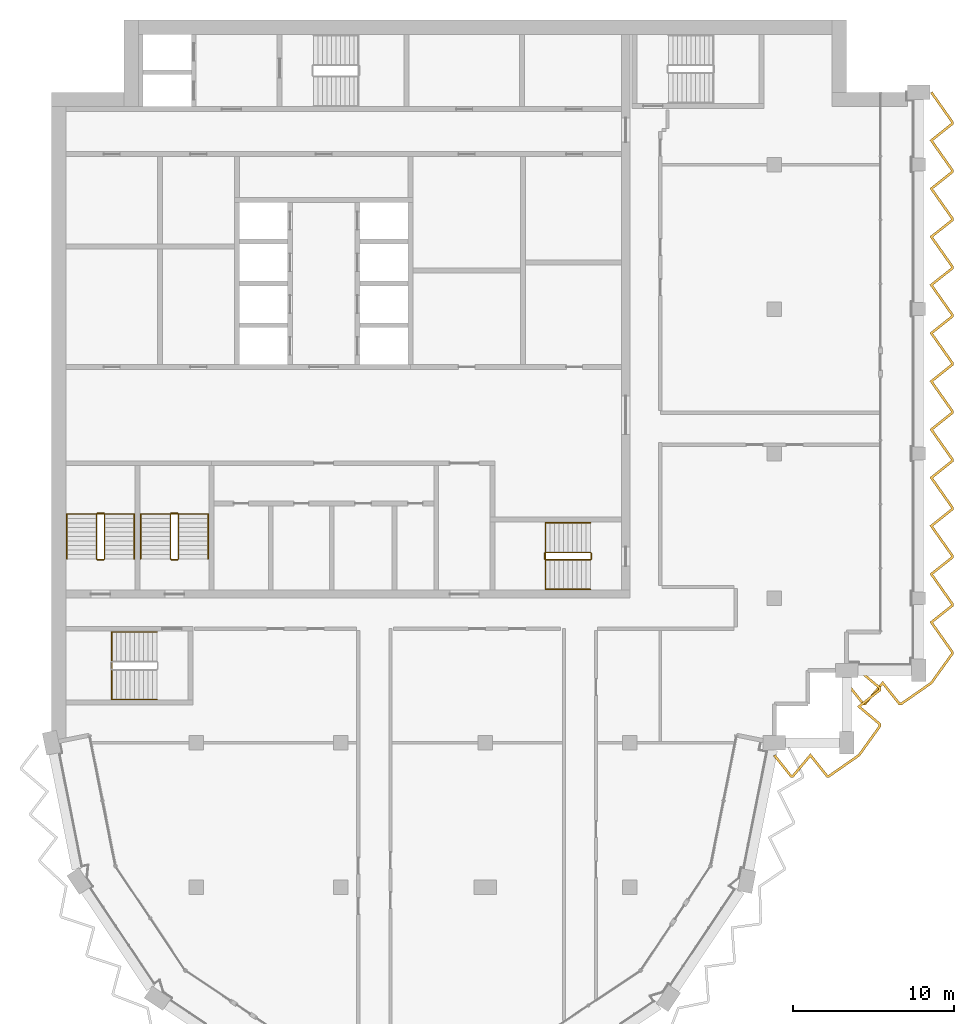
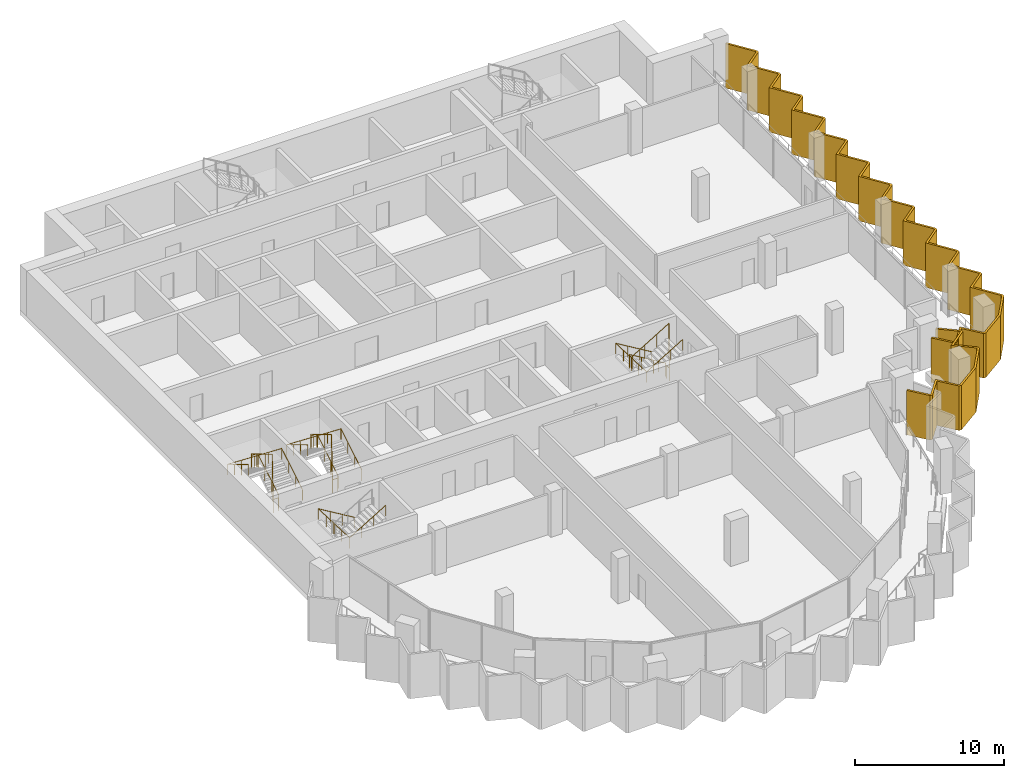
# One storey, part 13 of 14: 7 railings, 2 shading devices.
"""IFC4 building model written with IfcOpenShell, lengths in metres."""

from ifc_helpers import new_model, si_unit, direction, frame, origin, origin_2d, place, context, subcontext, project, spatial, polyline, circle, outline, extrude, material, layer, layer_set, type_object, element, save


model = new_model("IFC4")

# Units and contexts
model_context = context("Model", 3, precision=1e-05, world=origin(), true_north=direction((0.0, 1.0)))
body_context = subcontext(model_context, "Body", "Model", "MODEL_VIEW")
ifc_project = project(units=[si_unit("LENGTHUNIT", "METRE"), si_unit("AREAUNIT", "SQUARE_METRE"), si_unit("VOLUMEUNIT", "CUBIC_METRE"), si_unit("PLANEANGLEUNIT", "RADIAN"), si_unit("MASSUNIT", "GRAM", prefix="KILO")], contexts=[model_context])

# Site, building, storey
site_placement = place(None, origin())
site = spatial("IfcSite", under=ifc_project, at=site_placement, CompositionType="ELEMENT")
building_placement = place(site_placement, origin())
building = spatial("IfcBuilding", under=site, at=building_placement, Name="Hunhe Ridgeline Campus", CompositionType="ELEMENT")
storey_placement = place(building_placement, frame((0.0, 0.0, 295.60009765625)))
storey = spatial("IfcBuildingStorey", under=building, at=storey_placement, Name="L76", CompositionType="ELEMENT", Elevation=295.60009765625)

# Shading devices
ifc_material_1 = material(Name="Concrete C50", Category="concrete")
ifc_layer = layer(ifc_material_1, 0.14990234375)
ifc_layer_set = layer_set([ifc_layer], Name="Sawtooth concrete fin 150 Concrete C50")
shading_device_type = type_object("IfcShadingDeviceType", Name="Sawtooth concrete fin 150 Concrete C50", PredefinedType="USERDEFINED", material=ifc_layer_set)
shading_device_1_placement = place(storey_placement, frame((0.0, 0.0, -0.9501953125)))
element("IfcShadingDevice", 1, at=shading_device_1_placement, inside=storey, type_object=shading_device_type, Name="Concrete fin screen 2", ObjectType="FIN", PredefinedType="USERDEFINED", context=body_context, shape_type="SweptSolid", body=[
    extrude(outline(polyline([(45.05859375, 53.271728515625), (44.94140625, 53.17822265625), (46.000732421875, 51.85009765625), (46.19189453125, 51.85009765625), (47.24853515625, 53.106689453125), (48.250732421875, 51.85009765625), (48.430419921875, 51.85009765625), (50.328369140625, 53.1708984375), (51.64990234375, 55.0126953125), (51.64990234375, 55.19189453125), (50.393310546875, 56.24853515625), (51.64990234375, 57.250732421875), (51.64990234375, 57.44189453125), (50.3232421875, 58.557373046875), (50.226806640625, 58.442626953125), (51.5, 57.371826171875), (51.5, 57.322998046875), (50.15673828125, 56.25146484375), (51.5, 55.121826171875), (51.5, 55.06103515625), (50.2216796875, 53.279296875), (48.38330078125, 52.0), (48.322998046875, 52.0), (47.25146484375, 53.34326171875), (46.121826171875, 52.0), (46.072998046875, 52.0), (45.05859375, 53.271728515625)])), origin(), (0.0, 0.0, 1.0), 3.650146484375),
])
shading_device_2_placement = place(storey_placement, frame((0.0, 0.0, -0.9501953125)))
element("IfcShadingDevice", 2, at=shading_device_2_placement, inside=storey, type_object=shading_device_type, Name="Concrete fin screen 3", ObjectType="FIN", PredefinedType="USERDEFINED", context=body_context, shape_type="SweptSolid", body=[
    extrude(outline(polyline([(49.55859375, 57.771728515625), (49.44140625, 57.67822265625), (50.500732421875, 56.35009765625), (50.69189453125, 56.35009765625), (51.74853515625, 57.606689453125), (52.750732421875, 56.35009765625), (52.930419921875, 56.35009765625), (54.828369140625, 57.6708984375), (56.14990234375, 59.5126953125), (56.14990234375, 59.6806640625), (54.876953125, 61.4853515625), (56.14990234375, 62.500732421875), (56.14990234375, 62.6806640625), (54.876953125, 64.4853515625), (56.14990234375, 65.500732421875), (56.14990234375, 65.6806640625), (54.876953125, 67.4853515625), (56.14990234375, 68.500732421875), (56.14990234375, 68.6806640625), (54.876953125, 70.4853515625), (56.14990234375, 71.500732421875), (56.14990234375, 71.6806640625), (54.876953125, 73.4853515625), (56.14990234375, 74.500732421875), (56.14990234375, 74.6806640625), (54.876953125, 76.4853515625), (56.14990234375, 77.500732421875), (56.14990234375, 77.6806640625), (54.876953125, 79.4853515625), (56.14990234375, 80.500732421875), (56.14990234375, 80.6806640625), (54.876953125, 82.4853515625), (56.14990234375, 83.500732421875), (56.14990234375, 83.6806640625), (54.876953125, 85.4853515625), (56.14990234375, 86.500732421875), (56.14990234375, 86.6806640625), (54.876953125, 88.4853515625), (56.14990234375, 89.500732421875), (56.14990234375, 89.6806640625), (54.876953125, 91.4853515625), (56.14990234375, 92.500732421875), (56.14990234375, 92.6806640625), (54.836181640625, 94.543212890625), (54.713623046875, 94.456787109375), (56.0, 92.633056640625), (56.0, 92.572998046875), (54.6728515625, 91.5146484375), (56.0, 89.633056640625), (56.0, 89.572998046875), (54.6728515625, 88.5146484375), (56.0, 86.633056640625), (56.0, 86.572998046875), (54.6728515625, 85.5146484375), (56.0, 83.633056640625), (56.0, 83.572998046875), (54.6728515625, 82.5146484375), (56.0, 80.633056640625), (56.0, 80.572998046875), (54.6728515625, 79.5146484375), (56.0, 77.633056640625), (56.0, 77.572998046875), (54.6728515625, 76.5146484375), (56.0, 74.633056640625), (56.0, 74.572998046875), (54.6728515625, 73.5146484375), (56.0, 71.633056640625), (56.0, 71.572998046875), (54.6728515625, 70.5146484375), (56.0, 68.633056640625), (56.0, 68.572998046875), (54.6728515625, 67.5146484375), (56.0, 65.633056640625), (56.0, 65.572998046875), (54.6728515625, 64.5146484375), (56.0, 62.633056640625), (56.0, 62.572998046875), (54.6728515625, 61.5146484375), (56.0, 59.633056640625), (56.0, 59.56103515625), (54.7216796875, 57.779296875), (52.88330078125, 56.5), (52.822998046875, 56.5), (51.75146484375, 57.84326171875), (50.621826171875, 56.5), (50.572998046875, 56.5), (49.55859375, 57.771728515625)])), origin(), (0.0, 0.0, 1.0), 3.650146484375),
])

# Railings
ifc_material_2 = material(Name="Stainless steel balustrade", Category="steel")
railing_type_1 = type_object("IfcRailingType", Name="Stair guard 1100 stainless", PredefinedType="GUARDRAIL", material=ifc_material_2)
railing_1_placement = place(storey_placement, frame((33.550048828125, 65.85009765625, 0.16796875)))
element("IfcRailing", 3, at=railing_1_placement, inside=storey, type_object=railing_type_1, Name="L76 stair S2 guard", PredefinedType="GUARDRAIL", context=body_context, shape_type="SweptSolid", body=[
    extrude(circle(Radius=0.02392578125, at=origin_2d()), frame((0.0, 0.0, 1.076171875), z_axis=(-0.857242210791, 0.0, 0.514913383045), x_axis=(0.0, -1.0, 0.0)), (0.0, 0.0, 1.0), 3.266357421875),
    extrude(circle(Radius=0.02392578125, at=origin_2d()), frame((-2.800048828125, 0.0, 2.7578125), z_axis=(-0.707106781187, -0.707106781187, 0.0), x_axis=(0.707106781187, -0.707106781187, 0.0)), (0.0, 0.0, 1.0), 0.07080078125),
    extrude(circle(Radius=0.02392578125, at=origin_2d()), frame((-2.85009765625, -0.050048828125, 2.7578125), z_axis=(0.0, -1.0, 0.0), x_axis=(1.0, 0.0, 0.0)), (0.0, 0.0, 1.0), 0.35009765625),
    extrude(circle(Radius=0.02392578125, at=origin_2d()), frame((-2.85009765625, -0.400146484375, 2.7578125), z_axis=(0.274243871929, -0.274243871929, 0.92172696468), x_axis=(0.707106781187, 0.707106781187, 0.0)), (0.0, 0.0, 1.0), 0.1826171875),
    extrude(circle(Radius=0.02392578125, at=origin_2d()), frame((-2.800048828125, -0.4501953125, 2.92626953125), z_axis=(0.857242210791, 0.0, 0.514913383045), x_axis=(0.0, 1.0, 0.0)), (0.0, 0.0, 1.0), 3.266357421875),
    extrude(circle(Radius=0.02392578125, at=origin_2d()), frame((0.0, -0.4501953125, 4.60791015625), z_axis=(0.013524414389, 0.013524414389, -0.999817073484), x_axis=(-0.707106781187, 0.707106781187, 0.0)), (0.0, 0.0, 1.0), 3.70068359375),
    extrude(circle(Radius=0.02392578125, at=origin_2d()), frame((0.050048828125, -0.400146484375, 0.908203125), z_axis=(0.0, 1.0, 0.0), x_axis=(-1.0, 0.0, 0.0)), (0.0, 0.0, 1.0), 0.35009765625),
    extrude(circle(Radius=0.02099609375, at=origin_2d()), origin(), (0.0, 0.0, 1.0), 1.052001953125),
    extrude(circle(Radius=0.02099609375, at=origin_2d()), frame((-0.933349609375, 0.0, 0.560546875)), (0.0, 0.0, 1.0), 1.052001953125),
    extrude(circle(Radius=0.02099609375, at=origin_2d()), frame((-1.86669921875, 0.0, 1.121337890625)), (0.0, 0.0, 1.0), 1.052001953125),
    extrude(circle(Radius=0.02099609375, at=origin_2d()), frame((-2.800048828125, 0.0, 1.681884765625)), (0.0, 0.0, 1.0), 1.052001953125),
    extrude(circle(Radius=0.02099609375, at=origin_2d()), frame((-2.85009765625, -0.050048828125, 1.681884765625)), (0.0, 0.0, 1.0), 1.052001953125),
    extrude(circle(Radius=0.02099609375, at=origin_2d()), frame((-2.85009765625, -0.400146484375, 1.681884765625)), (0.0, 0.0, 1.0), 1.052001953125),
    extrude(circle(Radius=0.02099609375, at=origin_2d()), frame((-2.800048828125, -0.4501953125, 1.85009765625)), (0.0, 0.0, 1.0), 1.052001953125),
    extrude(circle(Radius=0.02099609375, at=origin_2d()), frame((-1.86669921875, -0.4501953125, 2.41064453125)), (0.0, 0.0, 1.0), 1.052001953125),
    extrude(circle(Radius=0.02099609375, at=origin_2d()), frame((-0.933349609375, -0.4501953125, 2.971435546875)), (0.0, 0.0, 1.0), 1.052001953125),
    extrude(circle(Radius=0.02099609375, at=origin_2d()), frame((0.0, -0.4501953125, 3.531982421875)), (0.0, 0.0, 1.0), 1.052001953125),
    extrude(circle(Radius=0.02099609375, at=origin_2d()), frame((0.012451171875, -0.437744140625, 2.60693359375)), (0.0, 0.0, 1.0), 1.052001953125),
    extrude(circle(Radius=0.02099609375, at=origin_2d()), frame((0.02490234375, -0.42529296875, 1.68212890625)), (0.0, 0.0, 1.0), 1.052001953125),
    extrude(circle(Radius=0.02099609375, at=origin_2d()), frame((0.03759765625, -0.41259765625, 0.757080078125)), (0.0, 0.0, 1.0), 1.052001953125),
    extrude(circle(Radius=0.02099609375, at=origin_2d()), frame((0.050048828125, -0.400146484375, -0.16796875)), (0.0, 0.0, 1.0), 1.052001953125),
    extrude(circle(Radius=0.02099609375, at=origin_2d()), frame((0.050048828125, -0.050048828125, -0.16796875)), (0.0, 0.0, 1.0), 1.052001953125),
])
railing_2_placement = place(storey_placement, frame((3.300048828125, 65.449951171875, 0.16796875)))
element("IfcRailing", 4, at=railing_2_placement, inside=storey, type_object=railing_type_1, Name="L76 stair S3 guard", PredefinedType="GUARDRAIL", context=body_context, shape_type="SweptSolid", body=[
    extrude(circle(Radius=0.02392578125, at=origin_2d()), frame((0.0, 0.0, 1.076171875), z_axis=(0.0, 0.857242210791, 0.514913383045), x_axis=(-1.0, 0.0, 0.0)), (0.0, 0.0, 1.0), 3.266357421875),
    extrude(circle(Radius=0.02392578125, at=origin_2d()), frame((0.0, 2.800048828125, 2.7578125), z_axis=(-0.707106781187, 0.707106781187, 0.0), x_axis=(-0.707106781187, -0.707106781187, 0.0)), (0.0, 0.0, 1.0), 0.07080078125),
    extrude(circle(Radius=0.02392578125, at=origin_2d()), frame((-0.050048828125, 2.85009765625, 2.7578125), z_axis=(-1.0, 0.0, 0.0), x_axis=(0.0, -1.0, 0.0)), (0.0, 0.0, 1.0), 0.39990234375),
    extrude(circle(Radius=0.02392578125, at=origin_2d()), frame((-0.449951171875, 2.85009765625, 2.7578125), z_axis=(-0.274243871929, -0.274243871929, 0.92172696468), x_axis=(0.707106781187, -0.707106781187, 0.0)), (0.0, 0.0, 1.0), 0.1826171875),
    extrude(circle(Radius=0.02392578125, at=origin_2d()), frame((-0.5, 2.800048828125, 2.92626953125), z_axis=(0.0, -0.857242210791, 0.514913383045), x_axis=(1.0, 0.0, 0.0)), (0.0, 0.0, 1.0), 3.266357421875),
    extrude(circle(Radius=0.02392578125, at=origin_2d()), frame((-0.5, 0.0, 4.60791015625), z_axis=(0.013524414389, -0.013524414389, -0.999817073484), x_axis=(0.707106781187, 0.707106781187, 0.0)), (0.0, 0.0, 1.0), 3.70068359375),
    extrude(circle(Radius=0.02392578125, at=origin_2d()), frame((-0.449951171875, -0.050048828125, 0.908203125), z_axis=(1.0, 0.0, 0.0), x_axis=(0.0, 1.0, 0.0)), (0.0, 0.0, 1.0), 0.39990234375),
    extrude(circle(Radius=0.02099609375, at=origin_2d()), origin(), (0.0, 0.0, 1.0), 1.052001953125),
    extrude(circle(Radius=0.02099609375, at=origin_2d()), frame((0.0, 0.933349609375, 0.560546875)), (0.0, 0.0, 1.0), 1.052001953125),
    extrude(circle(Radius=0.02099609375, at=origin_2d()), frame((0.0, 1.86669921875, 1.121337890625)), (0.0, 0.0, 1.0), 1.052001953125),
    extrude(circle(Radius=0.02099609375, at=origin_2d()), frame((0.0, 2.800048828125, 1.681884765625)), (0.0, 0.0, 1.0), 1.052001953125),
    extrude(circle(Radius=0.02099609375, at=origin_2d()), frame((-0.050048828125, 2.85009765625, 1.681884765625)), (0.0, 0.0, 1.0), 1.052001953125),
    extrude(circle(Radius=0.02099609375, at=origin_2d()), frame((-0.449951171875, 2.85009765625, 1.681884765625)), (0.0, 0.0, 1.0), 1.052001953125),
    extrude(circle(Radius=0.02099609375, at=origin_2d()), frame((-0.5, 2.800048828125, 1.85009765625)), (0.0, 0.0, 1.0), 1.052001953125),
    extrude(circle(Radius=0.02099609375, at=origin_2d()), frame((-0.5, 1.86669921875, 2.41064453125)), (0.0, 0.0, 1.0), 1.052001953125),
    extrude(circle(Radius=0.02099609375, at=origin_2d()), frame((-0.5, 0.933349609375, 2.971435546875)), (0.0, 0.0, 1.0), 1.052001953125),
    extrude(circle(Radius=0.02099609375, at=origin_2d()), frame((-0.5, 0.0, 3.531982421875)), (0.0, 0.0, 1.0), 1.052001953125),
    extrude(circle(Radius=0.02099609375, at=origin_2d()), frame((-0.487548828125, -0.012451171875, 2.60693359375)), (0.0, 0.0, 1.0), 1.052001953125),
    extrude(circle(Radius=0.02099609375, at=origin_2d()), frame((-0.47509765625, -0.02490234375, 1.68212890625)), (0.0, 0.0, 1.0), 1.052001953125),
    extrude(circle(Radius=0.02099609375, at=origin_2d()), frame((-0.46240234375, -0.03759765625, 0.757080078125)), (0.0, 0.0, 1.0), 1.052001953125),
    extrude(circle(Radius=0.02099609375, at=origin_2d()), frame((-0.449951171875, -0.050048828125, -0.16796875)), (0.0, 0.0, 1.0), 1.052001953125),
    extrude(circle(Radius=0.02099609375, at=origin_2d()), frame((-0.050048828125, -0.050048828125, -0.16796875)), (0.0, 0.0, 1.0), 1.052001953125),
])
railing_3_placement = place(storey_placement, frame((7.89990234375, 65.449951171875, 0.16796875)))
element("IfcRailing", 5, at=railing_3_placement, inside=storey, type_object=railing_type_1, Name="L76 stair S4 guard", PredefinedType="GUARDRAIL", context=body_context, shape_type="SweptSolid", body=[
    extrude(circle(Radius=0.02392578125, at=origin_2d()), frame((0.0, 0.0, 1.076171875), z_axis=(0.0, 0.857242210791, 0.514913383045), x_axis=(-1.0, 0.0, 0.0)), (0.0, 0.0, 1.0), 3.266357421875),
    extrude(circle(Radius=0.02392578125, at=origin_2d()), frame((0.0, 2.800048828125, 2.7578125), z_axis=(-0.705375805398, 0.708833529934, 0.0), x_axis=(-0.708833529934, -0.705375805398, 0.0)), (0.0, 0.0, 1.0), 0.070556640625),
    extrude(circle(Radius=0.02392578125, at=origin_2d()), frame((-0.0498046875, 2.85009765625, 2.7578125), z_axis=(-1.0, 0.0, 0.0), x_axis=(0.0, -1.0, 0.0)), (0.0, 0.0, 1.0), 0.400146484375),
    extrude(circle(Radius=0.02392578125, at=origin_2d()), frame((-0.449951171875, 2.85009765625, 2.7578125), z_axis=(-0.274243871929, -0.274243871929, 0.92172696468), x_axis=(0.707106781187, -0.707106781187, 0.0)), (0.0, 0.0, 1.0), 0.1826171875),
    extrude(circle(Radius=0.02392578125, at=origin_2d()), frame((-0.5, 2.800048828125, 2.92626953125), z_axis=(0.0, -0.857242210791, 0.514913383045), x_axis=(1.0, 0.0, 0.0)), (0.0, 0.0, 1.0), 3.266357421875),
    extrude(circle(Radius=0.02392578125, at=origin_2d()), frame((-0.5, 0.0, 4.60791015625), z_axis=(0.013524414389, -0.013524414389, -0.999817073484), x_axis=(0.707106781187, 0.707106781187, 0.0)), (0.0, 0.0, 1.0), 3.70068359375),
    extrude(circle(Radius=0.02392578125, at=origin_2d()), frame((-0.449951171875, -0.050048828125, 0.908203125), z_axis=(1.0, 0.0, 0.0), x_axis=(0.0, 1.0, 0.0)), (0.0, 0.0, 1.0), 0.400146484375),
    extrude(circle(Radius=0.02099609375, at=origin_2d()), origin(), (0.0, 0.0, 1.0), 1.052001953125),
    extrude(circle(Radius=0.02099609375, at=origin_2d()), frame((0.0, 0.933349609375, 0.560546875)), (0.0, 0.0, 1.0), 1.052001953125),
    extrude(circle(Radius=0.02099609375, at=origin_2d()), frame((0.0, 1.86669921875, 1.121337890625)), (0.0, 0.0, 1.0), 1.052001953125),
    extrude(circle(Radius=0.02099609375, at=origin_2d()), frame((0.0, 2.800048828125, 1.681884765625)), (0.0, 0.0, 1.0), 1.052001953125),
    extrude(circle(Radius=0.02099609375, at=origin_2d()), frame((-0.0498046875, 2.85009765625, 1.681884765625)), (0.0, 0.0, 1.0), 1.052001953125),
    extrude(circle(Radius=0.02099609375, at=origin_2d()), frame((-0.449951171875, 2.85009765625, 1.681884765625)), (0.0, 0.0, 1.0), 1.052001953125),
    extrude(circle(Radius=0.02099609375, at=origin_2d()), frame((-0.5, 2.800048828125, 1.85009765625)), (0.0, 0.0, 1.0), 1.052001953125),
    extrude(circle(Radius=0.02099609375, at=origin_2d()), frame((-0.5, 1.86669921875, 2.41064453125)), (0.0, 0.0, 1.0), 1.052001953125),
    extrude(circle(Radius=0.02099609375, at=origin_2d()), frame((-0.5, 0.933349609375, 2.971435546875)), (0.0, 0.0, 1.0), 1.052001953125),
    extrude(circle(Radius=0.02099609375, at=origin_2d()), frame((-0.5, 0.0, 3.531982421875)), (0.0, 0.0, 1.0), 1.052001953125),
    extrude(circle(Radius=0.02099609375, at=origin_2d()), frame((-0.487548828125, -0.012451171875, 2.60693359375)), (0.0, 0.0, 1.0), 1.052001953125),
    extrude(circle(Radius=0.02099609375, at=origin_2d()), frame((-0.47509765625, -0.02490234375, 1.68212890625)), (0.0, 0.0, 1.0), 1.052001953125),
    extrude(circle(Radius=0.02099609375, at=origin_2d()), frame((-0.46240234375, -0.03759765625, 0.757080078125)), (0.0, 0.0, 1.0), 1.052001953125),
    extrude(circle(Radius=0.02099609375, at=origin_2d()), frame((-0.449951171875, -0.050048828125, -0.16796875)), (0.0, 0.0, 1.0), 1.052001953125),
    extrude(circle(Radius=0.02099609375, at=origin_2d()), frame((-0.0498046875, -0.050048828125, -0.16796875)), (0.0, 0.0, 1.0), 1.052001953125),
])
ifc_material_3 = material(Name="Stainless steel handrail", Category="steel")
railing_type_2 = type_object("IfcRailingType", Name="Stair handrail 900 stainless", PredefinedType="HANDRAIL", material=ifc_material_3)
railing_4_placement = place(storey_placement, frame((33.550048828125, 67.699951171875, 0.16796875)))
element("IfcRailing", 6, at=railing_4_placement, inside=storey, type_object=railing_type_2, Name="L76 stair S2 handrail", PredefinedType="HANDRAIL", context=body_context, shape_type="SweptSolid", body=[
    extrude(circle(Radius=0.02392578125, at=origin_2d()), frame((0.0, 0.0, 0.8759765625), z_axis=(-0.857242210791, 0.0, 0.514913383045), x_axis=(0.0, -1.0, 0.0)), (0.0, 0.0, 1.0), 3.266357421875),
    extrude(circle(Radius=0.02392578125, at=origin_2d()), frame((-2.800048828125, 0.0, 2.5576171875), z_axis=(0.0, -0.99917950104, 0.040500922239), x_axis=(1.0, 0.0, 0.0)), (0.0, 0.0, 1.0), 4.1533203125),
    extrude(circle(Radius=0.02392578125, at=origin_2d()), frame((-2.800048828125, -4.14990234375, 2.72607421875), z_axis=(0.857242210791, 0.0, 0.514913383045), x_axis=(0.0, 1.0, 0.0)), (0.0, 0.0, 1.0), 3.266357421875),
    extrude(circle(Radius=0.02099609375, at=origin_2d()), origin(), (0.0, 0.0, 1.0), 0.851806640625),
    extrude(circle(Radius=0.02099609375, at=origin_2d()), frame((-0.933349609375, 0.0, 0.560546875)), (0.0, 0.0, 1.0), 0.851806640625),
    extrude(circle(Radius=0.02099609375, at=origin_2d()), frame((-1.86669921875, 0.0, 1.121337890625)), (0.0, 0.0, 1.0), 0.851806640625),
    extrude(circle(Radius=0.02099609375, at=origin_2d()), frame((-2.800048828125, 0.0, 1.681884765625)), (0.0, 0.0, 1.0), 0.851806640625),
    extrude(circle(Radius=0.02099609375, at=origin_2d()), frame((-2.800048828125, -1.03759765625, 1.723876953125)), (0.0, 0.0, 1.0), 0.851806640625),
    extrude(circle(Radius=0.02099609375, at=origin_2d()), frame((-2.800048828125, -2.074951171875, 1.76611328125)), (0.0, 0.0, 1.0), 0.851806640625),
    extrude(circle(Radius=0.02099609375, at=origin_2d()), frame((-2.800048828125, -3.1123046875, 1.80810546875)), (0.0, 0.0, 1.0), 0.851806640625),
    extrude(circle(Radius=0.02099609375, at=origin_2d()), frame((-2.800048828125, -4.14990234375, 1.85009765625)), (0.0, 0.0, 1.0), 0.851806640625),
    extrude(circle(Radius=0.02099609375, at=origin_2d()), frame((-1.86669921875, -4.14990234375, 2.41064453125)), (0.0, 0.0, 1.0), 0.851806640625),
    extrude(circle(Radius=0.02099609375, at=origin_2d()), frame((-0.933349609375, -4.14990234375, 2.971435546875)), (0.0, 0.0, 1.0), 0.851806640625),
    extrude(circle(Radius=0.02099609375, at=origin_2d()), frame((0.0, -4.14990234375, 3.531982421875)), (0.0, 0.0, 1.0), 0.851806640625),
])
railing_5_placement = place(storey_placement, frame((5.14990234375, 65.449951171875, 0.16796875)))
element("IfcRailing", 7, at=railing_5_placement, inside=storey, type_object=railing_type_2, Name="L76 stair S3 handrail", PredefinedType="HANDRAIL", context=body_context, shape_type="SweptSolid", body=[
    extrude(circle(Radius=0.02392578125, at=origin_2d()), frame((0.0, 0.0, 0.8759765625), z_axis=(0.0, 0.857242210791, 0.514913383045), x_axis=(-1.0, 0.0, 0.0)), (0.0, 0.0, 1.0), 3.266357421875),
    extrude(circle(Radius=0.02392578125, at=origin_2d()), frame((0.0, 2.800048828125, 2.5576171875), z_axis=(-0.999198916169, 0.0, 0.040019069537), x_axis=(0.0, -1.0, 0.0)), (0.0, 0.0, 1.0), 4.203369140625),
    extrude(circle(Radius=0.02392578125, at=origin_2d()), frame((-4.199951171875, 2.800048828125, 2.72607421875), z_axis=(0.0, -0.857242210791, 0.514913383045), x_axis=(1.0, 0.0, 0.0)), (0.0, 0.0, 1.0), 3.266357421875),
    extrude(circle(Radius=0.02099609375, at=origin_2d()), origin(), (0.0, 0.0, 1.0), 0.851806640625),
    extrude(circle(Radius=0.02099609375, at=origin_2d()), frame((0.0, 0.933349609375, 0.560546875)), (0.0, 0.0, 1.0), 0.851806640625),
    extrude(circle(Radius=0.02099609375, at=origin_2d()), frame((0.0, 1.86669921875, 1.121337890625)), (0.0, 0.0, 1.0), 0.851806640625),
    extrude(circle(Radius=0.02099609375, at=origin_2d()), frame((0.0, 2.800048828125, 1.681884765625)), (0.0, 0.0, 1.0), 0.851806640625),
    extrude(circle(Radius=0.02099609375, at=origin_2d()), frame((-1.050048828125, 2.800048828125, 1.723876953125)), (0.0, 0.0, 1.0), 0.851806640625),
    extrude(circle(Radius=0.02099609375, at=origin_2d()), frame((-2.10009765625, 2.800048828125, 1.76611328125)), (0.0, 0.0, 1.0), 0.851806640625),
    extrude(circle(Radius=0.02099609375, at=origin_2d()), frame((-3.14990234375, 2.800048828125, 1.80810546875)), (0.0, 0.0, 1.0), 0.851806640625),
    extrude(circle(Radius=0.02099609375, at=origin_2d()), frame((-4.199951171875, 2.800048828125, 1.85009765625)), (0.0, 0.0, 1.0), 0.851806640625),
    extrude(circle(Radius=0.02099609375, at=origin_2d()), frame((-4.199951171875, 1.86669921875, 2.41064453125)), (0.0, 0.0, 1.0), 0.851806640625),
    extrude(circle(Radius=0.02099609375, at=origin_2d()), frame((-4.199951171875, 0.933349609375, 2.971435546875)), (0.0, 0.0, 1.0), 0.851806640625),
    extrude(circle(Radius=0.02099609375, at=origin_2d()), frame((-4.199951171875, 0.0, 3.531982421875)), (0.0, 0.0, 1.0), 0.851806640625),
])
railing_6_placement = place(storey_placement, frame((9.75, 65.449951171875, 0.16796875)))
element("IfcRailing", 8, at=railing_6_placement, inside=storey, type_object=railing_type_2, Name="L76 stair S4 handrail", PredefinedType="HANDRAIL", context=body_context, shape_type="SweptSolid", body=[
    extrude(circle(Radius=0.02392578125, at=origin_2d()), frame((0.0, 0.0, 0.8759765625), z_axis=(0.0, 0.857242210791, 0.514913383045), x_axis=(-1.0, 0.0, 0.0)), (0.0, 0.0, 1.0), 3.266357421875),
    extrude(circle(Radius=0.02392578125, at=origin_2d()), frame((0.0, 2.800048828125, 2.5576171875), z_axis=(-0.999198916169, 0.0, 0.040019069537), x_axis=(0.0, -1.0, 0.0)), (0.0, 0.0, 1.0), 4.203369140625),
    extrude(circle(Radius=0.02392578125, at=origin_2d()), frame((-4.199951171875, 2.800048828125, 2.72607421875), z_axis=(0.0, -0.857242210791, 0.514913383045), x_axis=(1.0, 0.0, 0.0)), (0.0, 0.0, 1.0), 3.266357421875),
    extrude(circle(Radius=0.02099609375, at=origin_2d()), origin(), (0.0, 0.0, 1.0), 0.851806640625),
    extrude(circle(Radius=0.02099609375, at=origin_2d()), frame((0.0, 0.933349609375, 0.560546875)), (0.0, 0.0, 1.0), 0.851806640625),
    extrude(circle(Radius=0.02099609375, at=origin_2d()), frame((0.0, 1.86669921875, 1.121337890625)), (0.0, 0.0, 1.0), 0.851806640625),
    extrude(circle(Radius=0.02099609375, at=origin_2d()), frame((0.0, 2.800048828125, 1.681884765625)), (0.0, 0.0, 1.0), 0.851806640625),
    extrude(circle(Radius=0.02099609375, at=origin_2d()), frame((-1.050048828125, 2.800048828125, 1.723876953125)), (0.0, 0.0, 1.0), 0.851806640625),
    extrude(circle(Radius=0.02099609375, at=origin_2d()), frame((-2.10009765625, 2.800048828125, 1.76611328125)), (0.0, 0.0, 1.0), 0.851806640625),
    extrude(circle(Radius=0.02099609375, at=origin_2d()), frame((-3.14990234375, 2.800048828125, 1.80810546875)), (0.0, 0.0, 1.0), 0.851806640625),
    extrude(circle(Radius=0.02099609375, at=origin_2d()), frame((-4.199951171875, 2.800048828125, 1.85009765625)), (0.0, 0.0, 1.0), 0.851806640625),
    extrude(circle(Radius=0.02099609375, at=origin_2d()), frame((-4.199951171875, 1.86669921875, 2.41064453125)), (0.0, 0.0, 1.0), 0.851806640625),
    extrude(circle(Radius=0.02099609375, at=origin_2d()), frame((-4.199951171875, 0.933349609375, 2.971435546875)), (0.0, 0.0, 1.0), 0.851806640625),
    extrude(circle(Radius=0.02099609375, at=origin_2d()), frame((-4.199951171875, 0.0, 3.531982421875)), (0.0, 0.0, 1.0), 0.851806640625),
])
railing_7_placement = place(storey_placement, frame((6.550048828125, 60.89990234375, 0.16796875)))
element("IfcRailing", 9, at=railing_7_placement, inside=storey, type_object=railing_type_2, Name="L76 stair W2 handrail", PredefinedType="HANDRAIL", context=body_context, shape_type="SweptSolid", body=[
    extrude(circle(Radius=0.02392578125, at=origin_2d()), frame((0.0, 0.0, 0.8759765625), z_axis=(-0.857242210791, 0.0, 0.514913383045), x_axis=(0.0, -1.0, 0.0)), (0.0, 0.0, 1.0), 3.266357421875),
    extrude(circle(Radius=0.02392578125, at=origin_2d()), frame((-2.800048828125, 0.0, 2.5576171875), z_axis=(0.0, -0.999198916169, 0.040019069537), x_axis=(1.0, 0.0, 0.0)), (0.0, 0.0, 1.0), 4.203369140625),
    extrude(circle(Radius=0.02392578125, at=origin_2d()), frame((-2.800048828125, -4.199951171875, 2.72607421875), z_axis=(0.857242210791, 0.0, 0.514913383045), x_axis=(0.0, 1.0, 0.0)), (0.0, 0.0, 1.0), 3.266357421875),
    extrude(circle(Radius=0.02099609375, at=origin_2d()), origin(), (0.0, 0.0, 1.0), 0.851806640625),
    extrude(circle(Radius=0.02099609375, at=origin_2d()), frame((-0.933349609375, 0.0, 0.560546875)), (0.0, 0.0, 1.0), 0.851806640625),
    extrude(circle(Radius=0.02099609375, at=origin_2d()), frame((-1.86669921875, 0.0, 1.121337890625)), (0.0, 0.0, 1.0), 0.851806640625),
    extrude(circle(Radius=0.02099609375, at=origin_2d()), frame((-2.800048828125, 0.0, 1.681884765625)), (0.0, 0.0, 1.0), 0.851806640625),
    extrude(circle(Radius=0.02099609375, at=origin_2d()), frame((-2.800048828125, -1.050048828125, 1.723876953125)), (0.0, 0.0, 1.0), 0.851806640625),
    extrude(circle(Radius=0.02099609375, at=origin_2d()), frame((-2.800048828125, -2.10009765625, 1.76611328125)), (0.0, 0.0, 1.0), 0.851806640625),
    extrude(circle(Radius=0.02099609375, at=origin_2d()), frame((-2.800048828125, -3.14990234375, 1.80810546875)), (0.0, 0.0, 1.0), 0.851806640625),
    extrude(circle(Radius=0.02099609375, at=origin_2d()), frame((-2.800048828125, -4.199951171875, 1.85009765625)), (0.0, 0.0, 1.0), 0.851806640625),
    extrude(circle(Radius=0.02099609375, at=origin_2d()), frame((-1.86669921875, -4.199951171875, 2.41064453125)), (0.0, 0.0, 1.0), 0.851806640625),
    extrude(circle(Radius=0.02099609375, at=origin_2d()), frame((-0.933349609375, -4.199951171875, 2.971435546875)), (0.0, 0.0, 1.0), 0.851806640625),
    extrude(circle(Radius=0.02099609375, at=origin_2d()), frame((0.0, -4.199951171875, 3.531982421875)), (0.0, 0.0, 1.0), 0.851806640625),
])

save(model, "model.ifc")
